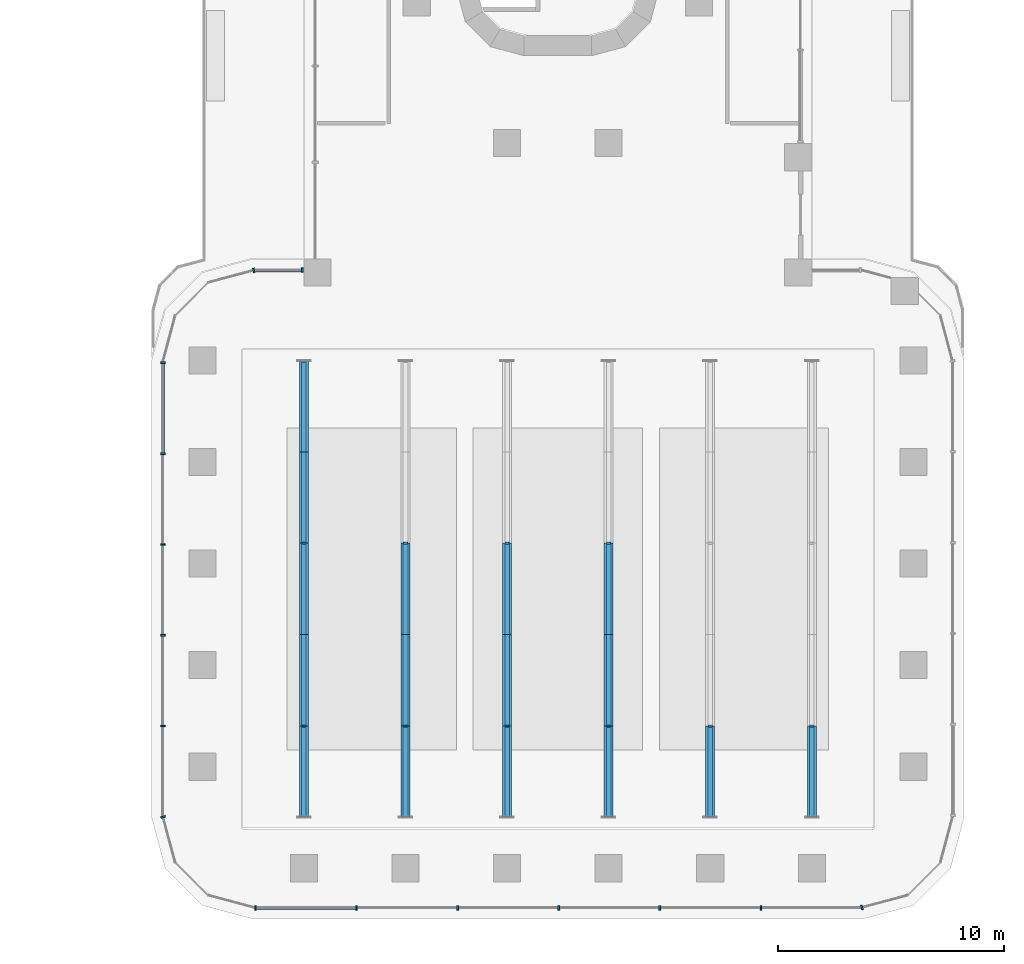
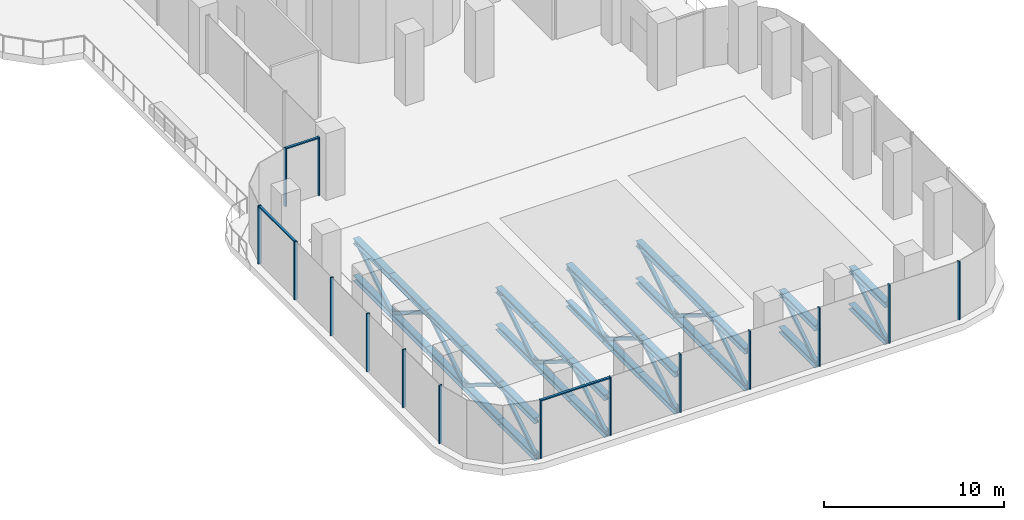
# One storey, part 2 of 21: 66 members, 6 elements without a shape of their own.
"""IFC4 building model written with IfcOpenShell, lengths in metres."""

from ifc_helpers import new_model, si_unit, direction, frame, origin, origin_2d, place, context, subcontext, project, spatial, polyline, hollow_rectangle, i_section, outline, extrude, source, transform, mapped, material, material_profile, profile_set, type_object, element, aggregate, save


model = new_model("IFC4")

# Units and contexts
model_context = context("Model", 3, precision=1e-05, world=origin(), true_north=direction((0.0, 1.0)))
body_context = subcontext(model_context, "Body", "Model", "MODEL_VIEW")
ifc_project = project(units=[si_unit("LENGTHUNIT", "METRE"), si_unit("AREAUNIT", "SQUARE_METRE"), si_unit("VOLUMEUNIT", "CUBIC_METRE"), si_unit("PLANEANGLEUNIT", "RADIAN"), si_unit("MASSUNIT", "GRAM", prefix="KILO")], contexts=[model_context])

# Site, building, storey
site_placement = place(None, origin())
site = spatial("IfcSite", under=ifc_project, at=site_placement, CompositionType="ELEMENT")
building_placement = place(site_placement, origin())
building = spatial("IfcBuilding", under=site, at=building_placement, Name="Zarbagh Exchange Tower", CompositionType="ELEMENT")
storey_placement = place(building_placement, frame((0.0, 0.0, 22.0)))
storey = spatial("IfcBuildingStorey", under=building, at=storey_placement, Name="L04", CompositionType="ELEMENT", Elevation=22.0)

# Members
ifc_material_1 = material(Name="Steel ASTM A992 Gr 50", Category="steel")
ifc_material_profile_1 = material_profile(ifc_material_1, i_section(OverallWidth=0.398681640625, OverallDepth=0.385986328125, WebThickness=0.02099609375, FlangeThickness=0.033203125, at=origin_2d()), Name="W14X176")
ifc_profile_set_1 = profile_set([ifc_material_profile_1], Name="Steel ASTM A992 Gr 50")
member_type_1 = type_object("IfcMemberType", Name="Hall roof truss chord W14X176", PredefinedType="CHORD", material=ifc_profile_set_1)
for number, where, z_axis, x_axis, name in (
    (1, (-11.25, -62.969970703125, -3.156982421875), (0.0, 1.0, 0.0), (-1.0, 0.0, 0.0), "Hall roof truss chord"),
    (2, (-11.25, -62.969970703125, -0.64306640625), (0.0, 1.0, 0.0), (-1.0, 0.0, 0.0), "Hall roof truss chord"),
):
    element("IfcMember", number, at=place(storey_placement, frame(where, z_axis=z_axis, x_axis=x_axis)), inside=storey, type_object=member_type_1, Name=name, PredefinedType="CHORD", context=body_context, shape_type="SweptSolid", body=[
        extrude(i_section(OverallWidth=0.398681640625, OverallDepth=0.385986328125, WebThickness=0.02099609375, FlangeThickness=0.033203125, at=origin_2d()), origin(), (0.0, 0.0, 1.0), 4.02001953125),
    ])
for number, where, z_axis, x_axis, name in (
    (3, (-11.25, -58.949951171875, -3.156982421875), (0.0, 1.0, 0.0), (-1.0, 0.0, 0.0), "Hall roof truss chord"),
    (4, (-11.25, -58.949951171875, -0.64306640625), (0.0, 1.0, 0.0), (-1.0, 0.0, 0.0), "Hall roof truss chord"),
):
    element("IfcMember", number, at=place(storey_placement, frame(where, z_axis=z_axis, x_axis=x_axis)), inside=storey, type_object=member_type_1, Name=name, PredefinedType="CHORD", context=body_context, shape_type="SweptSolid", body=[
        extrude(i_section(OverallWidth=0.398681640625, OverallDepth=0.385986328125, WebThickness=0.02099609375, FlangeThickness=0.033203125, at=origin_2d()), origin(), (0.0, 0.0, 1.0), 4.050048828125),
    ])
for number, where, z_axis, x_axis, name in (
    (5, (-11.25, -54.89990234375, -3.156982421875), (0.0, 1.0, 0.0), (-1.0, 0.0, 0.0), "Hall roof truss chord"),
    (6, (-11.25, -54.89990234375, -0.64306640625), (0.0, 1.0, 0.0), (-1.0, 0.0, 0.0), "Hall roof truss chord"),
):
    element("IfcMember", number, at=place(storey_placement, frame(where, z_axis=z_axis, x_axis=x_axis)), inside=storey, type_object=member_type_1, Name=name, PredefinedType="CHORD", context=body_context, shape_type="SweptSolid", body=[
        extrude(i_section(OverallWidth=0.398681640625, OverallDepth=0.385986328125, WebThickness=0.02099609375, FlangeThickness=0.033203125, at=origin_2d()), origin(), (0.0, 0.0, 1.0), 4.0498046875),
    ])
for number, where, z_axis, x_axis, name in (
    (7, (-11.25, -50.85009765625, -3.156982421875), (0.0, 1.0, 0.0), (-1.0, 0.0, 0.0), "Hall roof truss chord"),
    (8, (-11.25, -50.85009765625, -0.64306640625), (0.0, 1.0, 0.0), (-1.0, 0.0, 0.0), "Hall roof truss chord"),
):
    element("IfcMember", number, at=place(storey_placement, frame(where, z_axis=z_axis, x_axis=x_axis)), inside=storey, type_object=member_type_1, Name=name, PredefinedType="CHORD", context=body_context, shape_type="SweptSolid", body=[
        extrude(i_section(OverallWidth=0.398681640625, OverallDepth=0.385986328125, WebThickness=0.02099609375, FlangeThickness=0.033203125, at=origin_2d()), origin(), (0.0, 0.0, 1.0), 4.050048828125),
    ])
for number, where, z_axis, x_axis, name in (
    (9, (-11.25, -46.800048828125, -3.156982421875), (0.0, 1.0, 0.0), (-1.0, 0.0, 0.0), "Hall roof truss chord"),
    (10, (-11.25, -46.800048828125, -0.64306640625), (0.0, 1.0, 0.0), (-1.0, 0.0, 0.0), "Hall roof truss chord"),
    (11, (-6.75, -62.969970703125, -3.156982421875), (0.0, 1.0, 0.0), (-1.0, 0.0, 0.0), "Hall roof truss chord"),
    (12, (-6.75, -62.969970703125, -0.64306640625), (0.0, 1.0, 0.0), (-1.0, 0.0, 0.0), "Hall roof truss chord"),
):
    element("IfcMember", number, at=place(storey_placement, frame(where, z_axis=z_axis, x_axis=x_axis)), inside=storey, type_object=member_type_1, Name=name, PredefinedType="CHORD", context=body_context, shape_type="SweptSolid", body=[
        extrude(i_section(OverallWidth=0.398681640625, OverallDepth=0.385986328125, WebThickness=0.02099609375, FlangeThickness=0.033203125, at=origin_2d()), origin(), (0.0, 0.0, 1.0), 4.02001953125),
    ])
for number, where, z_axis, x_axis, name in (
    (13, (-6.75, -58.949951171875, -3.156982421875), (0.0, 1.0, 0.0), (-1.0, 0.0, 0.0), "Hall roof truss chord"),
    (14, (-6.75, -58.949951171875, -0.64306640625), (0.0, 1.0, 0.0), (-1.0, 0.0, 0.0), "Hall roof truss chord"),
):
    element("IfcMember", number, at=place(storey_placement, frame(where, z_axis=z_axis, x_axis=x_axis)), inside=storey, type_object=member_type_1, Name=name, PredefinedType="CHORD", context=body_context, shape_type="SweptSolid", body=[
        extrude(i_section(OverallWidth=0.398681640625, OverallDepth=0.385986328125, WebThickness=0.02099609375, FlangeThickness=0.033203125, at=origin_2d()), origin(), (0.0, 0.0, 1.0), 4.050048828125),
    ])
for number, where, z_axis, x_axis, name in (
    (15, (-6.75, -54.89990234375, -3.156982421875), (0.0, 1.0, 0.0), (-1.0, 0.0, 0.0), "Hall roof truss chord"),
    (16, (-6.75, -54.89990234375, -0.64306640625), (0.0, 1.0, 0.0), (-1.0, 0.0, 0.0), "Hall roof truss chord"),
):
    element("IfcMember", number, at=place(storey_placement, frame(where, z_axis=z_axis, x_axis=x_axis)), inside=storey, type_object=member_type_1, Name=name, PredefinedType="CHORD", context=body_context, shape_type="SweptSolid", body=[
        extrude(i_section(OverallWidth=0.398681640625, OverallDepth=0.385986328125, WebThickness=0.02099609375, FlangeThickness=0.033203125, at=origin_2d()), origin(), (0.0, 0.0, 1.0), 4.0498046875),
    ])
for number, where, z_axis, x_axis, name in (
    (17, (-2.25, -62.969970703125, -3.156982421875), (0.0, 1.0, 0.0), (-1.0, 0.0, 0.0), "Hall roof truss chord"),
    (18, (-2.25, -62.969970703125, -0.64306640625), (0.0, 1.0, 0.0), (-1.0, 0.0, 0.0), "Hall roof truss chord"),
):
    element("IfcMember", number, at=place(storey_placement, frame(where, z_axis=z_axis, x_axis=x_axis)), inside=storey, type_object=member_type_1, Name=name, PredefinedType="CHORD", context=body_context, shape_type="SweptSolid", body=[
        extrude(i_section(OverallWidth=0.398681640625, OverallDepth=0.385986328125, WebThickness=0.02099609375, FlangeThickness=0.033203125, at=origin_2d()), origin(), (0.0, 0.0, 1.0), 4.02001953125),
    ])
for number, where, z_axis, x_axis, name in (
    (19, (-2.25, -58.949951171875, -3.156982421875), (0.0, 1.0, 0.0), (-1.0, 0.0, 0.0), "Hall roof truss chord"),
    (20, (-2.25, -58.949951171875, -0.64306640625), (0.0, 1.0, 0.0), (-1.0, 0.0, 0.0), "Hall roof truss chord"),
):
    element("IfcMember", number, at=place(storey_placement, frame(where, z_axis=z_axis, x_axis=x_axis)), inside=storey, type_object=member_type_1, Name=name, PredefinedType="CHORD", context=body_context, shape_type="SweptSolid", body=[
        extrude(i_section(OverallWidth=0.398681640625, OverallDepth=0.385986328125, WebThickness=0.02099609375, FlangeThickness=0.033203125, at=origin_2d()), origin(), (0.0, 0.0, 1.0), 4.050048828125),
    ])
for number, where, z_axis, x_axis, name in (
    (21, (-2.25, -54.89990234375, -3.156982421875), (0.0, 1.0, 0.0), (-1.0, 0.0, 0.0), "Hall roof truss chord"),
    (22, (-2.25, -54.89990234375, -0.64306640625), (0.0, 1.0, 0.0), (-1.0, 0.0, 0.0), "Hall roof truss chord"),
):
    element("IfcMember", number, at=place(storey_placement, frame(where, z_axis=z_axis, x_axis=x_axis)), inside=storey, type_object=member_type_1, Name=name, PredefinedType="CHORD", context=body_context, shape_type="SweptSolid", body=[
        extrude(i_section(OverallWidth=0.398681640625, OverallDepth=0.385986328125, WebThickness=0.02099609375, FlangeThickness=0.033203125, at=origin_2d()), origin(), (0.0, 0.0, 1.0), 4.0498046875),
    ])
for number, where, z_axis, x_axis, name in (
    (23, (2.25, -62.969970703125, -3.156982421875), (0.0, 1.0, 0.0), (-1.0, 0.0, 0.0), "Hall roof truss chord"),
    (24, (2.25, -62.969970703125, -0.64306640625), (0.0, 1.0, 0.0), (-1.0, 0.0, 0.0), "Hall roof truss chord"),
):
    element("IfcMember", number, at=place(storey_placement, frame(where, z_axis=z_axis, x_axis=x_axis)), inside=storey, type_object=member_type_1, Name=name, PredefinedType="CHORD", context=body_context, shape_type="SweptSolid", body=[
        extrude(i_section(OverallWidth=0.398681640625, OverallDepth=0.385986328125, WebThickness=0.02099609375, FlangeThickness=0.033203125, at=origin_2d()), origin(), (0.0, 0.0, 1.0), 4.02001953125),
    ])
for number, where, z_axis, x_axis, name in (
    (25, (2.25, -58.949951171875, -3.156982421875), (0.0, 1.0, 0.0), (-1.0, 0.0, 0.0), "Hall roof truss chord"),
    (26, (2.25, -58.949951171875, -0.64306640625), (0.0, 1.0, 0.0), (-1.0, 0.0, 0.0), "Hall roof truss chord"),
):
    element("IfcMember", number, at=place(storey_placement, frame(where, z_axis=z_axis, x_axis=x_axis)), inside=storey, type_object=member_type_1, Name=name, PredefinedType="CHORD", context=body_context, shape_type="SweptSolid", body=[
        extrude(i_section(OverallWidth=0.398681640625, OverallDepth=0.385986328125, WebThickness=0.02099609375, FlangeThickness=0.033203125, at=origin_2d()), origin(), (0.0, 0.0, 1.0), 4.050048828125),
    ])
for number, where, z_axis, x_axis, name in (
    (27, (2.25, -54.89990234375, -3.156982421875), (0.0, 1.0, 0.0), (-1.0, 0.0, 0.0), "Hall roof truss chord"),
    (28, (2.25, -54.89990234375, -0.64306640625), (0.0, 1.0, 0.0), (-1.0, 0.0, 0.0), "Hall roof truss chord"),
):
    element("IfcMember", number, at=place(storey_placement, frame(where, z_axis=z_axis, x_axis=x_axis)), inside=storey, type_object=member_type_1, Name=name, PredefinedType="CHORD", context=body_context, shape_type="SweptSolid", body=[
        extrude(i_section(OverallWidth=0.398681640625, OverallDepth=0.385986328125, WebThickness=0.02099609375, FlangeThickness=0.033203125, at=origin_2d()), origin(), (0.0, 0.0, 1.0), 4.0498046875),
    ])
for number, where, z_axis, x_axis, name in (
    (29, (6.75, -62.969970703125, -3.156982421875), (0.0, 1.0, 0.0), (-1.0, 0.0, 0.0), "Hall roof truss chord"),
    (30, (6.75, -62.969970703125, -0.64306640625), (0.0, 1.0, 0.0), (-1.0, 0.0, 0.0), "Hall roof truss chord"),
    (31, (11.25, -62.969970703125, -3.156982421875), (0.0, 1.0, 0.0), (-1.0, 0.0, 0.0), "Hall roof truss chord"),
    (32, (11.25, -62.969970703125, -0.64306640625), (0.0, 1.0, 0.0), (-1.0, 0.0, 0.0), "Hall roof truss chord"),
):
    element("IfcMember", number, at=place(storey_placement, frame(where, z_axis=z_axis, x_axis=x_axis)), inside=storey, type_object=member_type_1, Name=name, PredefinedType="CHORD", context=body_context, shape_type="SweptSolid", body=[
        extrude(i_section(OverallWidth=0.398681640625, OverallDepth=0.385986328125, WebThickness=0.02099609375, FlangeThickness=0.033203125, at=origin_2d()), origin(), (0.0, 0.0, 1.0), 4.02001953125),
    ])
ifc_material_2 = material(Name="Steel ASTM A500 Gr C", Category="steel")
ifc_material_profile_2 = material_profile(ifc_material_2, hollow_rectangle(XDim=0.203125, YDim=0.203125, WallThickness=0.0087890625, at=origin_2d()), Name="HSS8X8X3/8")
ifc_profile_set_2 = profile_set([ifc_material_profile_2], Name="Steel ASTM A500 Gr C")
member_type_2 = type_object("IfcMemberType", Name="Hall roof truss diagonal HSS8X8X3/8", PredefinedType="BRACE", material=ifc_profile_set_2)
member_1_placement = place(storey_placement, frame((-11.25, -62.969970703125, -3.156982421875), z_axis=(0.0, 0.847865208387, 0.530211833521), x_axis=(-1.0, 0.0, 0.0)))
element("IfcMember", 33, at=member_1_placement, inside=storey, type_object=member_type_2, Name="Hall roof truss diagonal", PredefinedType="BRACE", context=body_context, shape_type="SweptSolid", body=[
    extrude(hollow_rectangle(XDim=0.203125, YDim=0.203125, WallThickness=0.0087890625, at=origin_2d()), origin(), (0.0, 0.0, 1.0), 4.741455078125),
])
member_2_placement = place(storey_placement, frame((-11.25, -54.89990234375, -3.156982421875), z_axis=(0.0, -0.849631461466, 0.527376885811), x_axis=(1.0, 0.0, 0.0)))
element("IfcMember", 34, at=member_2_placement, inside=storey, type_object=member_type_2, Name="Hall roof truss diagonal", PredefinedType="BRACE", context=body_context, shape_type="SweptSolid", body=[
    extrude(hollow_rectangle(XDim=0.203125, YDim=0.203125, WallThickness=0.0087890625, at=origin_2d()), origin(), (0.0, 0.0, 1.0), 4.766845703125),
])
member_3_placement = place(storey_placement, frame((-11.25, -54.89990234375, -3.156982421875), z_axis=(0.0, 0.84961721586, 0.527399835527), x_axis=(-1.0, 0.0, 0.0)))
element("IfcMember", 35, at=member_3_placement, inside=storey, type_object=member_type_2, Name="Hall roof truss diagonal", PredefinedType="BRACE", context=body_context, shape_type="SweptSolid", body=[
    extrude(hollow_rectangle(XDim=0.203125, YDim=0.203125, WallThickness=0.0087890625, at=origin_2d()), origin(), (0.0, 0.0, 1.0), 4.7666015625),
])
member_4_placement = place(storey_placement, frame((-11.25, -46.800048828125, -3.156982421875), z_axis=(0.0, -0.849631461466, 0.527376885811), x_axis=(1.0, 0.0, 0.0)))
element("IfcMember", 36, at=member_4_placement, inside=storey, type_object=member_type_2, Name="Hall roof truss diagonal", PredefinedType="BRACE", context=body_context, shape_type="SweptSolid", body=[
    extrude(hollow_rectangle(XDim=0.203125, YDim=0.203125, WallThickness=0.0087890625, at=origin_2d()), origin(), (0.0, 0.0, 1.0), 4.766845703125),
])
for number, where, z_axis, x_axis, name in (
    (37, (-11.25, -46.800048828125, -3.156982421875), (0.0, 0.847865208387, 0.530211833521), (-1.0, 0.0, 0.0), "Hall roof truss diagonal"),
    (38, (-6.75, -62.969970703125, -3.156982421875), (0.0, 0.847865208387, 0.530211833521), (-1.0, 0.0, 0.0), "Hall roof truss diagonal"),
):
    element("IfcMember", number, at=place(storey_placement, frame(where, z_axis=z_axis, x_axis=x_axis)), inside=storey, type_object=member_type_2, Name=name, PredefinedType="BRACE", context=body_context, shape_type="SweptSolid", body=[
        extrude(hollow_rectangle(XDim=0.203125, YDim=0.203125, WallThickness=0.0087890625, at=origin_2d()), origin(), (0.0, 0.0, 1.0), 4.741455078125),
    ])
member_5_placement = place(storey_placement, frame((-6.75, -54.89990234375, -3.156982421875), z_axis=(0.0, -0.849631461466, 0.527376885811), x_axis=(1.0, 0.0, 0.0)))
element("IfcMember", 39, at=member_5_placement, inside=storey, type_object=member_type_2, Name="Hall roof truss diagonal", PredefinedType="BRACE", context=body_context, shape_type="SweptSolid", body=[
    extrude(hollow_rectangle(XDim=0.203125, YDim=0.203125, WallThickness=0.0087890625, at=origin_2d()), origin(), (0.0, 0.0, 1.0), 4.766845703125),
])
member_6_placement = place(storey_placement, frame((-6.75, -54.89990234375, -3.156982421875), z_axis=(0.0, 0.84961721586, 0.527399835527), x_axis=(-1.0, 0.0, 0.0)))
element("IfcMember", 40, at=member_6_placement, inside=storey, type_object=member_type_2, Name="Hall roof truss diagonal", PredefinedType="BRACE", context=body_context, shape_type="SweptSolid", body=[
    extrude(hollow_rectangle(XDim=0.203125, YDim=0.203125, WallThickness=0.0087890625, at=origin_2d()), origin(), (0.0, 0.0, 1.0), 4.7666015625),
])
member_7_placement = place(storey_placement, frame((-2.25, -62.969970703125, -3.156982421875), z_axis=(0.0, 0.847865208387, 0.530211833521), x_axis=(-1.0, 0.0, 0.0)))
element("IfcMember", 41, at=member_7_placement, inside=storey, type_object=member_type_2, Name="Hall roof truss diagonal", PredefinedType="BRACE", context=body_context, shape_type="SweptSolid", body=[
    extrude(hollow_rectangle(XDim=0.203125, YDim=0.203125, WallThickness=0.0087890625, at=origin_2d()), origin(), (0.0, 0.0, 1.0), 4.741455078125),
])
member_8_placement = place(storey_placement, frame((-2.25, -54.89990234375, -3.156982421875), z_axis=(0.0, -0.849631461466, 0.527376885811), x_axis=(1.0, 0.0, 0.0)))
element("IfcMember", 42, at=member_8_placement, inside=storey, type_object=member_type_2, Name="Hall roof truss diagonal", PredefinedType="BRACE", context=body_context, shape_type="SweptSolid", body=[
    extrude(hollow_rectangle(XDim=0.203125, YDim=0.203125, WallThickness=0.0087890625, at=origin_2d()), origin(), (0.0, 0.0, 1.0), 4.766845703125),
])
member_9_placement = place(storey_placement, frame((-2.25, -54.89990234375, -3.156982421875), z_axis=(0.0, 0.84961721586, 0.527399835527), x_axis=(-1.0, 0.0, 0.0)))
element("IfcMember", 43, at=member_9_placement, inside=storey, type_object=member_type_2, Name="Hall roof truss diagonal", PredefinedType="BRACE", context=body_context, shape_type="SweptSolid", body=[
    extrude(hollow_rectangle(XDim=0.203125, YDim=0.203125, WallThickness=0.0087890625, at=origin_2d()), origin(), (0.0, 0.0, 1.0), 4.7666015625),
])
member_10_placement = place(storey_placement, frame((2.25, -62.969970703125, -3.156982421875), z_axis=(0.0, 0.847865208387, 0.530211833521), x_axis=(-1.0, 0.0, 0.0)))
element("IfcMember", 44, at=member_10_placement, inside=storey, type_object=member_type_2, Name="Hall roof truss diagonal", PredefinedType="BRACE", context=body_context, shape_type="SweptSolid", body=[
    extrude(hollow_rectangle(XDim=0.203125, YDim=0.203125, WallThickness=0.0087890625, at=origin_2d()), origin(), (0.0, 0.0, 1.0), 4.741455078125),
])
member_11_placement = place(storey_placement, frame((2.25, -54.89990234375, -3.156982421875), z_axis=(0.0, -0.849631461466, 0.527376885811), x_axis=(1.0, 0.0, 0.0)))
element("IfcMember", 45, at=member_11_placement, inside=storey, type_object=member_type_2, Name="Hall roof truss diagonal", PredefinedType="BRACE", context=body_context, shape_type="SweptSolid", body=[
    extrude(hollow_rectangle(XDim=0.203125, YDim=0.203125, WallThickness=0.0087890625, at=origin_2d()), origin(), (0.0, 0.0, 1.0), 4.766845703125),
])
member_12_placement = place(storey_placement, frame((2.25, -54.89990234375, -3.156982421875), z_axis=(0.0, 0.84961721586, 0.527399835527), x_axis=(-1.0, 0.0, 0.0)))
element("IfcMember", 46, at=member_12_placement, inside=storey, type_object=member_type_2, Name="Hall roof truss diagonal", PredefinedType="BRACE", context=body_context, shape_type="SweptSolid", body=[
    extrude(hollow_rectangle(XDim=0.203125, YDim=0.203125, WallThickness=0.0087890625, at=origin_2d()), origin(), (0.0, 0.0, 1.0), 4.7666015625),
])
for number, where, z_axis, x_axis, name in (
    (47, (6.75, -62.969970703125, -3.156982421875), (0.0, 0.847865208387, 0.530211833521), (-1.0, 0.0, 0.0), "Hall roof truss diagonal"),
    (48, (11.25, -62.969970703125, -3.156982421875), (0.0, 0.847865208387, 0.530211833521), (-1.0, 0.0, 0.0), "Hall roof truss diagonal"),
):
    element("IfcMember", number, at=place(storey_placement, frame(where, z_axis=z_axis, x_axis=x_axis)), inside=storey, type_object=member_type_2, Name=name, PredefinedType="BRACE", context=body_context, shape_type="SweptSolid", body=[
        extrude(hollow_rectangle(XDim=0.203125, YDim=0.203125, WallThickness=0.0087890625, at=origin_2d()), origin(), (0.0, 0.0, 1.0), 4.741455078125),
    ])

# Curtain wall, member
ifc_material_3 = material(Name="Anodised aluminium frame and glazing", Category="aluminium")
curtain_wall_type = type_object("IfcCurtainWallType", Name="CWD Exchange hall wall glazing", PredefinedType="NOTDEFINED", material=ifc_material_3)
curtain_wall_1_placement = place(storey_placement, origin())
curtain_wall_1 = element("IfcCurtainWall", 49, at=curtain_wall_1_placement, inside=storey, type_object=curtain_wall_type, Name="CWD09 curtain wall", PredefinedType="NOTDEFINED")
ifc_material_4 = material(Name="Anodised aluminium frame", Category="aluminium")
member_type_3 = type_object("IfcMemberType", Name="TRD Transom, anodised aluminium frame", PredefinedType="USERDEFINED", material=ifc_material_4)
shared_shape_1 = source(origin(), body_context, "Body", "SweptSolid", [
    extrude(outline(polyline([(-0.080078125, -0.074951171875), (0.0, -0.074951171875), (0.0, 0.074951171875), (-0.080078125, 0.074951171875), (-0.080078125, -0.074951171875)])), origin(), (0.0, 0.0, 1.0), 4.39794921875),
])
placement = place(storey_placement, origin())
member_13 = element("IfcMember", 50, at=placement, type_object=member_type_3, Name="CWD09 transom 1.1", ObjectType="TRANSOM", PredefinedType="USERDEFINED", context=body_context, shape_type="MappedRepresentation", body=[
    mapped(shared_shape_1, transform((-13.354248046875, -67.0, 3.949951171875), x_axis=(0.0, 0.0, 1.0), y_axis=(0.0, -1.0, 0.0), z_axis=(1.0, 0.0, 0.0))),
])

curtain_wall_2_placement = place(storey_placement, origin())
curtain_wall_2 = element("IfcCurtainWall", 51, at=curtain_wall_2_placement, inside=storey, type_object=curtain_wall_type, Name="CWD27 curtain wall", PredefinedType="NOTDEFINED")
member_type_4 = type_object("IfcMemberType", Name="MUD Mullion, anodised aluminium frame", PredefinedType="MULLION", material=ifc_material_4)
shared_shape_2 = source(origin(), body_context, "Body", "SweptSolid", [
    extrude(outline(polyline([(0.0, -0.10009765625), (0.080078125, -0.10009765625), (0.080078125, 0.10009765625), (0.0, 0.10009765625), (0.0, -0.10009765625)])), origin(), (0.0, 0.0, 1.0), 3.949951171875),
])
member_14 = element("IfcMember", 52, at=placement, type_object=member_type_4, Name="CWD27 mullion 1.1", PredefinedType="MULLION", context=body_context, shape_type="MappedRepresentation", body=[
    mapped(shared_shape_2, transform((-11.2900390625, -38.75, 0.0), x_axis=(-1.0, 0.0, 0.0), y_axis=(0.0, -1.0, 0.0), z_axis=(0.0, 0.0, 1.0))),
])

curtain_wall_3_placement = place(storey_placement, origin())
curtain_wall_3 = element("IfcCurtainWall", 53, at=curtain_wall_3_placement, inside=storey, type_object=curtain_wall_type, Name="CWD28 curtain wall", PredefinedType="NOTDEFINED")
member_15 = element("IfcMember", 54, at=placement, type_object=member_type_4, Name="CWD28 mullion 1.1", PredefinedType="MULLION", context=body_context, shape_type="MappedRepresentation", body=[
    mapped(shared_shape_2, transform((-13.43408203125, -38.75, 0.0), x_axis=(-0.965924289636, -0.258824779902, 0.0), y_axis=(0.258824779902, -0.965924289636, 0.0), z_axis=(0.0, 0.0, 1.0))),
])
aggregate(curtain_wall_3, [member_15])

# Curtain wall, members
curtain_wall_4_placement = place(storey_placement, origin())
curtain_wall_4 = element("IfcCurtainWall", 55, at=curtain_wall_4_placement, inside=storey, type_object=curtain_wall_type, Name="CWD31 curtain wall", PredefinedType="NOTDEFINED")
member_16 = element("IfcMember", 56, at=placement, type_object=member_type_4, Name="CWD31 mullion 1.1", PredefinedType="MULLION", context=body_context, shape_type="MappedRepresentation", body=[
    mapped(shared_shape_2, transform((-17.5, -42.81591796875, 0.0), x_axis=(0.0, -1.0, 0.0), y_axis=(1.0, 0.0, 0.0), z_axis=(0.0, 0.0, 1.0))),
])
member_17 = element("IfcMember", 57, at=placement, type_object=member_type_4, Name="CWD31 mullion 1.2", PredefinedType="MULLION", context=body_context, shape_type="MappedRepresentation", body=[
    mapped(shared_shape_2, transform((-17.5, -46.839599609375, 0.0), x_axis=(0.0, -1.0, 0.0), y_axis=(1.0, 0.0, 0.0), z_axis=(0.0, 0.0, 1.0))),
])
member_18 = element("IfcMember", 58, at=placement, type_object=member_type_4, Name="CWD31 mullion 1.3", PredefinedType="MULLION", context=body_context, shape_type="MappedRepresentation", body=[
    mapped(shared_shape_2, transform((-17.5, -50.863037109375, 0.0), x_axis=(0.0, -1.0, 0.0), y_axis=(1.0, 0.0, 0.0), z_axis=(0.0, 0.0, 1.0))),
])
member_19 = element("IfcMember", 59, at=placement, type_object=member_type_4, Name="CWD31 mullion 1.4", PredefinedType="MULLION", context=body_context, shape_type="MappedRepresentation", body=[
    mapped(shared_shape_2, transform((-17.5, -54.88671875, 0.0), x_axis=(0.0, -1.0, 0.0), y_axis=(1.0, 0.0, 0.0), z_axis=(0.0, 0.0, 1.0))),
])
member_20 = element("IfcMember", 60, at=placement, type_object=member_type_4, Name="CWD31 mullion 1.5", PredefinedType="MULLION", context=body_context, shape_type="MappedRepresentation", body=[
    mapped(shared_shape_2, transform((-17.5, -58.910400390625, 0.0), x_axis=(0.0, -1.0, 0.0), y_axis=(1.0, 0.0, 0.0), z_axis=(0.0, 0.0, 1.0))),
])

# Curtain wall, member
curtain_wall_5_placement = place(storey_placement, origin())
curtain_wall_5 = element("IfcCurtainWall", 61, at=curtain_wall_5_placement, inside=storey, type_object=curtain_wall_type, Name="CWD06 curtain wall", PredefinedType="NOTDEFINED")
member_21 = element("IfcMember", 62, at=placement, type_object=member_type_4, Name="CWD06 mullion 1.1", PredefinedType="MULLION", context=body_context, shape_type="MappedRepresentation", body=[
    mapped(shared_shape_2, transform((-17.5, -62.93408203125, 0.0), x_axis=(0.258824779902, -0.965924289636, 0.0), y_axis=(0.965924289636, 0.258824779902, 0.0), z_axis=(0.0, 0.0, 1.0))),
])
aggregate(curtain_wall_5, [member_21])

# Member
member_22 = element("IfcMember", 63, at=placement, type_object=member_type_4, Name="CWD09 mullion 1.1", PredefinedType="MULLION", context=body_context, shape_type="MappedRepresentation", body=[
    mapped(shared_shape_2, transform((-13.43408203125, -67.0, 0.0), x_axis=(1.0, 0.0, 0.0), y_axis=(0.0, 1.0, 0.0), z_axis=(0.0, 0.0, 1.0))),
])

member_23 = element("IfcMember", 64, at=placement, type_object=member_type_4, Name="CWD09 mullion 1.2", PredefinedType="MULLION", context=body_context, shape_type="MappedRepresentation", body=[
    mapped(shared_shape_2, transform((-8.9560546875, -67.0, 0.0), x_axis=(1.0, 0.0, 0.0), y_axis=(0.0, 1.0, 0.0), z_axis=(0.0, 0.0, 1.0))),
])

member_24 = element("IfcMember", 65, at=placement, type_object=member_type_4, Name="CWD09 mullion 1.3", PredefinedType="MULLION", context=body_context, shape_type="MappedRepresentation", body=[
    mapped(shared_shape_2, transform((-4.47802734375, -67.0, 0.0), x_axis=(1.0, 0.0, 0.0), y_axis=(0.0, 1.0, 0.0), z_axis=(0.0, 0.0, 1.0))),
])

member_25 = element("IfcMember", 66, at=placement, type_object=member_type_4, Name="CWD09 mullion 1.4", PredefinedType="MULLION", context=body_context, shape_type="MappedRepresentation", body=[
    mapped(shared_shape_2, transform((0.0, -67.0, 0.0), x_axis=(1.0, 0.0, 0.0), y_axis=(0.0, 1.0, 0.0), z_axis=(0.0, 0.0, 1.0))),
])

member_26 = element("IfcMember", 67, at=placement, type_object=member_type_4, Name="CWD09 mullion 1.5", PredefinedType="MULLION", context=body_context, shape_type="MappedRepresentation", body=[
    mapped(shared_shape_2, transform((4.47802734375, -67.0, 0.0), x_axis=(1.0, 0.0, 0.0), y_axis=(0.0, 1.0, 0.0), z_axis=(0.0, 0.0, 1.0))),
])

member_27 = element("IfcMember", 68, at=placement, type_object=member_type_4, Name="CWD09 mullion 1.6", PredefinedType="MULLION", context=body_context, shape_type="MappedRepresentation", body=[
    mapped(shared_shape_2, transform((8.9560546875, -67.0, 0.0), x_axis=(1.0, 0.0, 0.0), y_axis=(0.0, 1.0, 0.0), z_axis=(0.0, 0.0, 1.0))),
])

aggregate(curtain_wall_1, [member_22, member_13, member_23, member_24, member_25, member_26, member_27])

# Curtain wall, member
curtain_wall_6_placement = place(storey_placement, origin())
curtain_wall_6 = element("IfcCurtainWall", 69, at=curtain_wall_6_placement, inside=storey, type_object=curtain_wall_type, Name="CWD01 curtain wall", PredefinedType="NOTDEFINED")
member_28 = element("IfcMember", 70, at=placement, type_object=member_type_4, Name="CWD01 mullion 1.1", PredefinedType="MULLION", context=body_context, shape_type="MappedRepresentation", body=[
    mapped(shared_shape_2, transform((13.43408203125, -67.0, 0.0), x_axis=(0.965924289636, 0.258824779902, 0.0), y_axis=(-0.258824779902, 0.965924289636, 0.0), z_axis=(0.0, 0.0, 1.0))),
])
aggregate(curtain_wall_6, [member_28])

# Member
shared_shape_3 = source(origin(), body_context, "Body", "SweptSolid", [
    extrude(outline(polyline([(-0.080078125, -0.074951171875), (0.0, -0.074951171875), (0.0, 0.074951171875), (-0.080078125, 0.074951171875), (-0.080078125, -0.074951171875)])), origin(), (0.0, 0.0, 1.0), 3.943603515625),
])
member_29 = element("IfcMember", 71, at=placement, type_object=member_type_3, Name="CWD31 transom 1.1", ObjectType="TRANSOM", PredefinedType="USERDEFINED", context=body_context, shape_type="MappedRepresentation", body=[
    mapped(shared_shape_3, transform((-17.5, -42.895751953125, 3.949951171875), x_axis=(0.0, 0.0, 1.0), y_axis=(-1.0, 0.0, 0.0), z_axis=(0.0, -1.0, 0.0))),
])

aggregate(curtain_wall_4, [member_16, member_29, member_17, member_18, member_19, member_20])

shared_shape_4 = source(origin(), body_context, "Body", "SweptSolid", [
    extrude(outline(polyline([(-0.080078125, -0.074951171875), (0.0, -0.074951171875), (0.0, 0.074951171875), (-0.080078125, 0.074951171875), (-0.080078125, -0.074951171875)])), origin(), (0.0, 0.0, 1.0), 2.064208984375),
])
member_30 = element("IfcMember", 72, at=placement, type_object=member_type_3, Name="CWD27 transom 1.1", ObjectType="TRANSOM", PredefinedType="USERDEFINED", context=body_context, shape_type="MappedRepresentation", body=[
    mapped(shared_shape_4, transform((-11.3701171875, -38.75, 3.949951171875), x_axis=(0.0, 0.0, 1.0), y_axis=(0.0, 1.0, 0.0), z_axis=(-1.0, 0.0, 0.0))),
])

aggregate(curtain_wall_2, [member_14, member_30])

save(model, "model.ifc")
